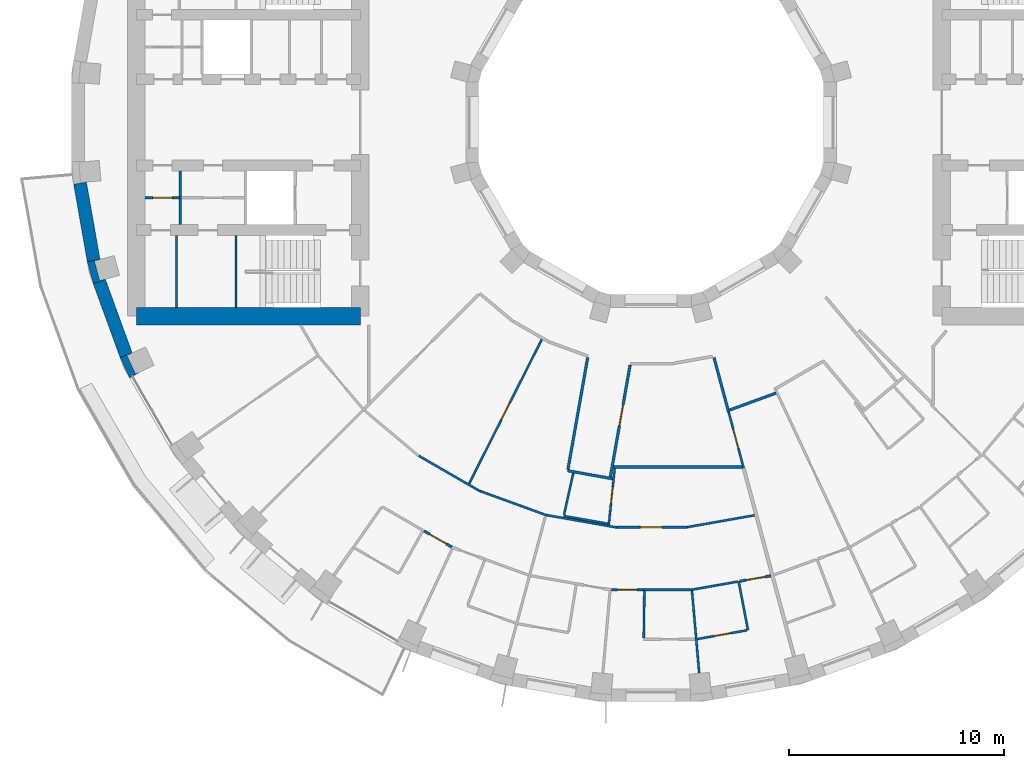
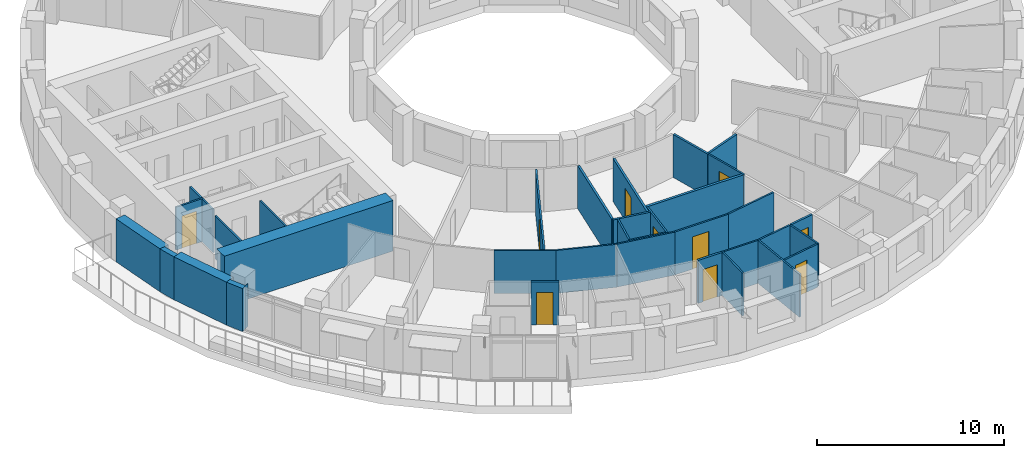
# One storey, part 5 of 16: 34 walls, 10 doors, 10 openings.
"""IFC4 building model written with IfcOpenShell, lengths in metres."""

from ifc_helpers import new_model, si_unit, direction, frame, frame_2d, origin, place, context, subcontext, project, spatial, polyline, rectangle, outline, extrude, material, layer, layer_set, type_object, element, fill, save


model = new_model("IFC4")

# Units and contexts
model_context = context("Model", 3, precision=1e-05, world=origin(), true_north=direction((0.0, 1.0)))
body_context = subcontext(model_context, "Body", "Model", "MODEL_VIEW")
ifc_project = project(units=[si_unit("LENGTHUNIT", "METRE"), si_unit("AREAUNIT", "SQUARE_METRE"), si_unit("VOLUMEUNIT", "CUBIC_METRE"), si_unit("PLANEANGLEUNIT", "RADIAN"), si_unit("MASSUNIT", "GRAM", prefix="KILO")], contexts=[model_context])

# Site, building, storey
site_placement = place(None, origin())
site = spatial("IfcSite", under=ifc_project, at=site_placement, CompositionType="ELEMENT")
building_placement = place(site_placement, origin())
building = spatial("IfcBuilding", under=site, at=building_placement, Name="Saqina Gate Tower", CompositionType="ELEMENT")
storey_placement = place(building_placement, frame((0.0, 0.0, 128.199951171875)))
storey = spatial("IfcBuildingStorey", under=building, at=storey_placement, Name="L36", CompositionType="ELEMENT", Elevation=128.199951171875)

# Walls
ifc_material_1 = material(Name="Brick masonry (buff)", Category="masonry")
wall_type_1 = type_object("IfcWallType", Name="BRICK PIER COPING BUFF", PredefinedType="SOLIDWALL", material=ifc_material_1)
wall_1_placement = place(storey_placement, origin())
element("IfcWall", 1, at=wall_1_placement, inside=storey, type_object=wall_type_1, Name="Pier cap L36 column 20", PredefinedType="SOLIDWALL", context=body_context, shape_type="SweptSolid", body=[
    extrude(outline(polyline([(-26.171875, -6.466796875), (-25.89892578125, -7.485595703125), (-25.335205078125, -7.2802734375), (-25.5947265625, -7.349853515625), (-25.8408203125, -6.43212890625), (-25.5810546875, -6.36279296875), (-26.171875, -6.466796875)])), origin(), (0.0, 0.0, 1.0), 2.800048828125),
])
wall_2_placement = place(storey_placement, origin())
element("IfcWall", 2, at=wall_2_placement, inside=storey, type_object=wall_type_1, Name="Pier cap L36 column 21", PredefinedType="SOLIDWALL", context=body_context, shape_type="SweptSolid", body=[
    extrude(outline(polyline([(-24.6513671875, -10.913330078125), (-24.205810546875, -11.869140625), (-23.68603515625, -11.569091796875), (-23.9296875, -11.6826171875), (-24.331298828125, -10.82177734375), (-24.08740234375, -10.7080078125), (-24.6513671875, -10.913330078125)])), origin(), (0.0, 0.0, 1.0), 2.800048828125),
])
ifc_material_2 = material(Name="Gypsum board on steel studs", Category="steel")
ifc_layer_1 = layer(ifc_material_2, 0.10009765625)
ifc_layer_set_1 = layer_set([ifc_layer_1], Name="CORE PARTITION")
wall_type_2 = type_object("IfcWallType", Name="CORE PARTITION", PredefinedType="PARTITIONING", material=ifc_layer_set_1)
wall_3_placement = place(storey_placement, frame((-21.8583984375, -4.75, 0.0), z_axis=(0.0, 0.0, 1.0), x_axis=(0.0, 1.0, 0.0)))
element("IfcWall", 3, at=wall_3_placement, inside=storey, type_object=wall_type_2, Name="L36-CP-W08", PredefinedType="PARTITIONING", context=body_context, shape_type="SweptSolid", body=[
    extrude(rectangle(XDim=2.5, YDim=0.10009765625, at=frame_2d((1.25, 0.0))), origin(), (0.0, 0.0, 1.0), 2.800048828125),
])

# Wall, opening, door
wall_4_placement = place(storey_placement, frame((-21.8583984375, -3.5, 0.0), z_axis=(0.0, 0.0, 1.0), x_axis=(-1.0, 0.0, 0.0)))
wall_4 = element("IfcWall", 4, at=wall_4_placement, inside=storey, type_object=wall_type_2, Name="L36-CP-W12", PredefinedType="PARTITIONING", context=body_context, shape_type="SweptSolid", body=[
    extrude(rectangle(XDim=1.6416015625, YDim=0.10009765625, at=frame_2d((0.82080078125, 0.0))), origin(), (0.0, 0.0, 1.0), 2.800048828125),
])
opening_1_placement = place(wall_4_placement, frame((0.370849609375, 0.0, 0.0)))
opening_1 = element("IfcOpeningElement", 5, at=opening_1_placement, cuts=wall_4, Name="Opening G10-D122", PredefinedType="OPENING", context=body_context, shape_type="SweptSolid", body=[
    extrude(rectangle(XDim=0.89990234375, YDim=2.10009765625, at=frame_2d((0.449951171875, 1.050048828125))), frame((0.0, 0.06201171875, 0.0), z_axis=(0.0, -1.0, 0.0), x_axis=(1.0, 0.0, 0.0)), (0.0, 0.0, 1.0), 0.1240234375),
])
ifc_material_3 = material(Name="Steel-framed fire door leaf, EI 60", Category="steel")
door_type_1 = type_object("IfcDoorType", Name="SERVICE ROOM DOOR 900", OperationType="SINGLE_SWING_LEFT", PredefinedType="DOOR", material=ifc_material_3)
door_1_placement = place(opening_1_placement, origin())
door_1 = element("IfcDoor", 6, at=door_1_placement, inside=storey, type_object=door_type_1, Name="L36-CD-W33", OperationType="SINGLE_SWING_RIGHT", OverallHeight=2.10009765625, OverallWidth=0.89990234375, PredefinedType="DOOR", context=body_context, shape_type="SweptSolid", body=[
    extrude(rectangle(XDim=0.89990234375, YDim=2.10009765625, at=frame_2d((0.449951171875, 1.050048828125))), frame((0.0, 0.02490234375, 0.0), z_axis=(0.0, -1.0, 0.0), x_axis=(1.0, 0.0, 0.0)), (0.0, 0.0, 1.0), 0.050048828125),
])
fill(opening_1, door_1)

# Walls
wall_5_placement = place(storey_placement, frame((-22.037109375, -8.60009765625, 0.0), z_axis=(0.0, 0.0, 1.0), x_axis=(0.0, 1.0, 0.0)))
element("IfcWall", 7, at=wall_5_placement, inside=storey, type_object=wall_type_2, Name="L36-CP-W16", PredefinedType="PARTITIONING", context=body_context, shape_type="SweptSolid", body=[
    extrude(rectangle(XDim=3.35009765625, YDim=0.10009765625, at=frame_2d((1.675048828125, 0.0))), origin(), (0.0, 0.0, 1.0), 2.800048828125),
])
ifc_material_4 = material(Name="Glazed ceramic tile", Category="ceramic")
ifc_layer_2 = layer(ifc_material_4, 0.60009765625)
ifc_layer_set_2 = layer_set([ifc_layer_2], Name="FW-TILE")
wall_type_3 = type_object("IfcWallType", Name="FW-TILE", PredefinedType="SOLIDWALL", material=ifc_layer_set_2)
wall_6_placement = place(storey_placement, frame((-26.510009765625, -2.822265625, 0.0), z_axis=(0.0, 0.0, 1.0), x_axis=(0.173670796382, -0.984803764455, 0.0)))
element("IfcWall", 8, at=wall_6_placement, inside=storey, type_object=wall_type_3, Name="Facade wall L36 facet 19", PredefinedType="SOLIDWALL", context=body_context, shape_type="SweptSolid", body=[
    extrude(rectangle(XDim=3.64794921875, YDim=0.60009765625, at=frame_2d((1.823974609375, 0.0))), origin(), (0.0, 0.0, 1.0), 2.800048828125),
])
ifc_material_5 = material(Name="Glazed ceramic tile (white)", Category="ceramic")
ifc_layer_3 = layer(ifc_material_5, 0.60009765625)
ifc_layer_set_3 = layer_set([ifc_layer_3], Name="FW-TILE-WH")
wall_type_4 = type_object("IfcWallType", Name="FW-TILE-WH", PredefinedType="SOLIDWALL", material=ifc_layer_set_3)
wall_7_placement = place(storey_placement, frame((-25.616943359375, -7.3828125, 0.0), z_axis=(0.0, 0.0, 1.0), x_axis=(0.341990236633, -0.939703505393, 0.0)))
element("IfcWall", 9, at=wall_7_placement, inside=storey, type_object=wall_type_4, Name="Facade wall L36 facet 20", PredefinedType="SOLIDWALL", context=body_context, shape_type="SweptSolid", body=[
    extrude(rectangle(XDim=3.64794921875, YDim=0.60009765625, at=frame_2d((1.823974609375, 0.0))), origin(), (0.0, 0.0, 1.0), 2.800048828125),
])
ifc_material_6 = material(Name="Gypsum board on steel studs, 100 mm", Category="steel")
ifc_layer_4 = layer(ifc_material_6, 0.10009765625)
ifc_layer_set_4 = layer_set([ifc_layer_4], Name="PARTITION 100")
wall_type_5 = type_object("IfcWallType", Name="PARTITION 100", PredefinedType="PARTITIONING", material=ifc_layer_set_4)
wall_8_placement = place(storey_placement, frame((1.9013671875, -21.746826171875, 0.0), z_axis=(0.0, 0.0, 1.0), x_axis=(0.087464650473, -0.996167623906, 0.0)))
element("IfcWall", 10, at=wall_8_placement, inside=storey, type_object=wall_type_5, Name="PARTITION PW3-02", PredefinedType="PARTITIONING", context=body_context, shape_type="SweptSolid", body=[
    extrude(rectangle(XDim=3.835205078125, YDim=0.10009765625, at=frame_2d((1.91748046875, 0.0))), origin(), (0.0, 0.0, 1.0), 2.800048828125),
])
wall_9_placement = place(storey_placement, frame((4.070068359375, -21.31396484375, 0.0), z_axis=(0.0, 0.0, 1.0), x_axis=(0.187292523019, -0.982304184467, 0.0)))
element("IfcWall", 11, at=wall_9_placement, inside=storey, type_object=wall_type_5, Name="PARTITION PW3-05", PredefinedType="PARTITIONING", context=body_context, shape_type="SweptSolid", body=[
    extrude(rectangle(XDim=2.30078125, YDim=0.10009765625, at=frame_2d((1.150390625, 0.0))), origin(), (0.0, 0.0, 1.0), 2.800048828125),
])

# Wall, opening, door
wall_10_placement = place(storey_placement, frame((3.601318359375, -13.4404296875, 0.0), z_axis=(0.0, 0.0, 1.0), x_axis=(0.258787272881, -0.96593433907, 0.0)))
wall_10 = element("IfcWall", 12, at=wall_10_placement, inside=storey, type_object=wall_type_5, Name="PARTITION PW3-08", PredefinedType="PARTITIONING", context=body_context, shape_type="SweptSolid", body=[
    extrude(rectangle(XDim=2.701904296875, YDim=0.10009765625, at=frame_2d((1.35107421875, 0.0))), origin(), (0.0, 0.0, 1.0), 2.800048828125),
])
opening_2_placement = place(wall_10_placement, frame((0.84375, 0.0, 0.0)))
opening_2 = element("IfcOpeningElement", 13, at=opening_2_placement, cuts=wall_10, Name="Opening G10-D47", PredefinedType="OPENING", context=body_context, shape_type="SweptSolid", body=[
    extrude(rectangle(XDim=0.89990234375, YDim=2.10009765625, at=frame_2d((0.449951171875, 1.050048828125))), frame((0.0, 0.06201171875, 0.0), z_axis=(0.0, -1.0, 0.0), x_axis=(1.0, 0.0, 0.0)), (0.0, 0.0, 1.0), 0.1240234375),
])
ifc_material_7 = material(Name="Timber door leaf, 900 mm", Category="wood")
door_type_2 = type_object("IfcDoorType", Name="DOOR 900 TIMBER", OperationType="SINGLE_SWING_LEFT", PredefinedType="DOOR", material=ifc_material_7)
door_2_placement = place(opening_2_placement, origin())
door_2 = element("IfcDoor", 14, at=door_2_placement, inside=storey, type_object=door_type_2, Name="DOOR G10-D47", OperationType="SINGLE_SWING_LEFT", OverallHeight=2.10009765625, OverallWidth=0.89990234375, PredefinedType="DOOR", context=body_context, shape_type="SweptSolid", body=[
    extrude(rectangle(XDim=0.89990234375, YDim=2.10009765625, at=frame_2d((0.449951171875, 1.050048828125))), frame((0.0, 0.02490234375, 0.0), z_axis=(0.0, -1.0, 0.0), x_axis=(1.0, 0.0, 0.0)), (0.0, 0.0, 1.0), 0.050048828125),
])
fill(opening_2, door_2)

# Walls
wall_11_placement = place(storey_placement, frame((-10.78076171875, -15.48291015625, 0.0), z_axis=(0.0, 0.0, 1.0), x_axis=(0.865987888257, -0.500064973171, 0.0)))
element("IfcWall", 15, at=wall_11_placement, inside=storey, type_object=wall_type_5, Name="PARTITION PW3-34", PredefinedType="PARTITIONING", context=body_context, shape_type="SweptSolid", body=[
    extrude(rectangle(XDim=3.29052734375, YDim=0.10009765625, at=frame_2d((1.645263671875, 0.0))), origin(), (0.0, 0.0, 1.0), 2.800048828125),
])
wall_12_placement = place(storey_placement, frame((-7.927978515625, -17.1201171875, 0.0), z_axis=(0.0, 0.0, 1.0), x_axis=(0.93970022925, -0.34199923852, 0.0)))
element("IfcWall", 16, at=wall_12_placement, inside=storey, type_object=wall_type_5, Name="PARTITION PW3-42", PredefinedType="PARTITIONING", context=body_context, shape_type="SweptSolid", body=[
    extrude(rectangle(XDim=3.290283203125, YDim=0.10009765625, at=frame_2d((1.64501953125, 0.0))), origin(), (0.0, 0.0, 1.0), 2.800048828125),
])
wall_13_placement = place(storey_placement, frame((-4.834716796875, -18.236572265625, 0.0), z_axis=(0.0, 0.0, 1.0), x_axis=(0.984805963937, -0.173658323709, 0.0)))
element("IfcWall", 17, at=wall_13_placement, inside=storey, type_object=wall_type_5, Name="PARTITION PW3-47", PredefinedType="PARTITIONING", context=body_context, shape_type="SweptSolid", body=[
    extrude(rectangle(XDim=3.289794921875, YDim=0.10009765625, at=frame_2d((1.64501953125, 0.0))), origin(), (0.0, 0.0, 1.0), 2.800048828125),
])
wall_14_placement = place(storey_placement, frame((-4.051025390625, -18.27392578125, 0.0), z_axis=(0.0, 0.0, 1.0), x_axis=(0.984814351303, -0.17361075274, 0.0)))
element("IfcWall", 18, at=wall_14_placement, inside=storey, type_object=wall_type_5, Name="PARTITION PW3-48", PredefinedType="PARTITIONING", context=body_context, shape_type="SweptSolid", body=[
    extrude(rectangle(XDim=2.07421875, YDim=0.10009765625, at=frame_2d((1.037109375, 0.0))), origin(), (0.0, 0.0, 1.0), 2.800048828125),
])
wall_15_placement = place(storey_placement, frame((-0.35693359375, -21.697021484375, 0.0), z_axis=(0.0, 0.0, 1.0), x_axis=(1.0, 0.0, 0.0)))
element("IfcWall", 19, at=wall_15_placement, inside=storey, type_object=wall_type_5, Name="PARTITION PW3-52", PredefinedType="PARTITIONING", context=body_context, shape_type="SweptSolid", body=[
    extrude(rectangle(XDim=2.3056640625, YDim=0.10009765625, at=frame_2d((1.15283203125, 0.0))), origin(), (0.0, 0.0, 1.0), 2.800048828125),
])

# Wall, opening, door
wall_16_placement = place(storey_placement, frame((-1.594970703125, -18.799072265625, 0.0), z_axis=(0.0, 0.0, 1.0), x_axis=(1.0, 0.0, 0.0)))
wall_16 = element("IfcWall", 20, at=wall_16_placement, inside=storey, type_object=wall_type_5, Name="PARTITION PW3-53", PredefinedType="PARTITIONING", context=body_context, shape_type="SweptSolid", body=[
    extrude(rectangle(XDim=3.290771484375, YDim=0.10009765625, at=frame_2d((1.6455078125, 0.0))), origin(), (0.0, 0.0, 1.0), 2.800048828125),
])
opening_3_placement = place(wall_16_placement, frame((1.094970703125, 0.0, 0.0)))
opening_3 = element("IfcOpeningElement", 21, at=opening_3_placement, cuts=wall_16, Name="Opening G10-D43", PredefinedType="OPENING", context=body_context, shape_type="SweptSolid", body=[
    extrude(rectangle(XDim=1.0, YDim=2.10009765625, at=frame_2d((0.5, 1.050048828125))), frame((0.0, 0.06201171875, 0.0), z_axis=(0.0, -1.0, 0.0), x_axis=(1.0, 0.0, 0.0)), (0.0, 0.0, 1.0), 0.1240234375),
])
ifc_material_8 = material(Name="Timber door leaf, 1000 mm", Category="wood")
door_type_3 = type_object("IfcDoorType", Name="DOOR 1000 TIMBER", OperationType="SINGLE_SWING_LEFT", PredefinedType="DOOR", material=ifc_material_8)
door_3_placement = place(opening_3_placement, origin())
door_3 = element("IfcDoor", 22, at=door_3_placement, inside=storey, type_object=door_type_3, Name="DOOR G10-D43", OperationType="SINGLE_SWING_LEFT", OverallHeight=2.10009765625, OverallWidth=1.0, PredefinedType="DOOR", context=body_context, shape_type="SweptSolid", body=[
    extrude(rectangle(XDim=1.0, YDim=2.10009765625, at=frame_2d((0.5, 1.050048828125))), frame((0.0, 0.02490234375, 0.0), z_axis=(0.0, -1.0, 0.0), x_axis=(1.0, 0.0, 0.0)), (0.0, 0.0, 1.0), 0.050048828125),
])
fill(opening_3, door_3)

wall_17_placement = place(storey_placement, frame((2.148193359375, -23.98828125, 0.0), z_axis=(0.0, 0.0, 1.0), x_axis=(0.984854932485, 0.173380396699, 0.0)))
wall_17 = element("IfcWall", 23, at=wall_17_placement, inside=storey, type_object=wall_type_5, Name="PARTITION PW3-57", PredefinedType="PARTITIONING", context=body_context, shape_type="SweptSolid", body=[
    extrude(rectangle(XDim=2.3388671875, YDim=0.10009765625, at=frame_2d((1.16943359375, 0.0))), origin(), (0.0, 0.0, 1.0), 2.800048828125),
])
opening_4_placement = place(wall_17_placement, frame((0.76953125, 0.0, 0.0)))
opening_4 = element("IfcOpeningElement", 24, at=opening_4_placement, cuts=wall_17, Name="Opening G10-D45", PredefinedType="OPENING", context=body_context, shape_type="SweptSolid", body=[
    extrude(rectangle(XDim=0.800048828125, YDim=2.10009765625, at=frame_2d((0.39990234375, 1.050048828125))), frame((0.0, 0.06201171875, 0.0), z_axis=(0.0, -1.0, 0.0), x_axis=(1.0, 0.0, 0.0)), (0.0, 0.0, 1.0), 0.1240234375),
])
ifc_material_9 = material(Name="Timber door leaf, 800 mm", Category="wood")
door_type_4 = type_object("IfcDoorType", Name="DOOR 800 TIMBER", OperationType="SINGLE_SWING_LEFT", PredefinedType="DOOR", material=ifc_material_9)
door_4_placement = place(opening_4_placement, frame((0.800048828125, 0.0, 0.0), z_axis=(0.0, 0.0, 1.0), x_axis=(-1.0, 0.0, 0.0)))
door_4 = element("IfcDoor", 25, at=door_4_placement, inside=storey, type_object=door_type_4, Name="DOOR G10-D45", OperationType="SINGLE_SWING_LEFT", OverallHeight=2.10009765625, OverallWidth=0.800048828125, PredefinedType="DOOR", context=body_context, shape_type="SweptSolid", body=[
    extrude(rectangle(XDim=0.800048828125, YDim=2.10009765625, at=frame_2d((0.39990234375, 1.050048828125))), frame((0.0, 0.02490234375, 0.0), z_axis=(0.0, -1.0, 0.0), x_axis=(1.0, 0.0, 0.0)), (0.0, 0.0, 1.0), 0.050048828125),
])
fill(opening_4, door_4)

# Walls
wall_18_placement = place(storey_placement, frame((1.947265625, -21.688232421875, 0.0), z_axis=(0.0, 0.0, 1.0), x_axis=(0.984818559242, 0.173586881336, 0.0)))
element("IfcWall", 26, at=wall_18_placement, inside=storey, type_object=wall_type_5, Name="PARTITION PW3-58", PredefinedType="PARTITIONING", context=body_context, shape_type="SweptSolid", body=[
    extrude(rectangle(XDim=2.10546875, YDim=0.10009765625, at=frame_2d((1.052734375, 0.0))), origin(), (0.0, 0.0, 1.0), 2.800048828125),
])
wall_19_placement = place(storey_placement, frame((1.6943359375, -18.790283203125, 0.0), z_axis=(0.0, 0.0, 1.0), x_axis=(0.984811512808, 0.173626853457, 0.0)))
element("IfcWall", 27, at=wall_19_placement, inside=storey, type_object=wall_type_5, Name="PARTITION PW3-59", PredefinedType="PARTITIONING", context=body_context, shape_type="SweptSolid", body=[
    extrude(rectangle(XDim=3.163818359375, YDim=0.10009765625, at=frame_2d((1.58203125, 0.0))), origin(), (0.0, 0.0, 1.0), 2.800048828125),
])

# Wall, opening, door
wall_20_placement = place(storey_placement, frame((-8.444580078125, -16.774169921875, 0.0), z_axis=(0.0, 0.0, 1.0), x_axis=(0.449712057194, 0.893173592094, 0.0)))
wall_20 = element("IfcWall", 28, at=wall_20_placement, inside=storey, type_object=wall_type_5, Name="PARTITION PW3-96", PredefinedType="PARTITIONING", context=body_context, shape_type="SweptSolid", body=[
    extrude(rectangle(XDim=7.499267578125, YDim=0.10009765625, at=frame_2d((3.74951171875, 0.0))), origin(), (0.0, 0.0, 1.0), 2.800048828125),
])
opening_5_placement = place(wall_20_placement, frame((3.30712890625, 0.0, 0.0)))
opening_5 = element("IfcOpeningElement", 29, at=opening_5_placement, cuts=wall_20, Name="Opening G10-D35", PredefinedType="OPENING", context=body_context, shape_type="SweptSolid", body=[
    extrude(rectangle(XDim=0.89990234375, YDim=2.10009765625, at=frame_2d((0.449951171875, 1.050048828125))), frame((0.0, 0.06201171875, 0.0), z_axis=(0.0, -1.0, 0.0), x_axis=(1.0, 0.0, 0.0)), (0.0, 0.0, 1.0), 0.1240234375),
])
door_5_placement = place(opening_5_placement, frame((0.89990234375, 0.0, 0.0), z_axis=(0.0, 0.0, 1.0), x_axis=(-1.0, 0.0, 0.0)))
door_5 = element("IfcDoor", 30, at=door_5_placement, inside=storey, type_object=door_type_2, Name="DOOR G10-D35", OperationType="SINGLE_SWING_LEFT", OverallHeight=2.10009765625, OverallWidth=0.89990234375, PredefinedType="DOOR", context=body_context, shape_type="SweptSolid", body=[
    extrude(rectangle(XDim=0.89990234375, YDim=2.10009765625, at=frame_2d((0.449951171875, 1.050048828125))), frame((0.0, 0.02490234375, 0.0), z_axis=(0.0, -1.0, 0.0), x_axis=(1.0, 0.0, 0.0)), (0.0, 0.0, 1.0), 0.050048828125),
])
fill(opening_5, door_5)

# Wall
wall_21_placement = place(storey_placement, frame((-4.0400390625, -18.22412109375, 0.0), z_axis=(0.0, 0.0, 1.0), x_axis=(0.216475396049, 0.976288073729, 0.0)))
element("IfcWall", 31, at=wall_21_placement, inside=storey, type_object=wall_type_5, Name="PARTITION PW3-103", PredefinedType="PARTITIONING", context=body_context, shape_type="SweptSolid", body=[
    extrude(rectangle(XDim=1.98828125, YDim=0.10009765625, at=frame_2d((0.994140625, 0.0))), origin(), (0.0, 0.0, 1.0), 2.800048828125),
])

# Wall, opening, door
wall_22_placement = place(storey_placement, frame((-1.963134765625, -18.692138671875, 0.0), z_axis=(0.0, 0.0, 1.0), x_axis=(0.10462196357, 0.994512063647, 0.0)))
wall_22 = element("IfcWall", 32, at=wall_22_placement, inside=storey, type_object=wall_type_5, Name="PARTITION PW3-106", PredefinedType="PARTITIONING", context=body_context, shape_type="SweptSolid", body=[
    extrude(rectangle(XDim=2.6298828125, YDim=0.10009765625, at=frame_2d((1.31494140625, 0.0))), origin(), (0.0, 0.0, 1.0), 2.800048828125),
])
opening_6_placement = place(wall_22_placement, frame((0.978759765625, 0.0, 0.0)))
opening_6 = element("IfcOpeningElement", 33, at=opening_6_placement, cuts=wall_22, Name="Opening G10-D40", PredefinedType="OPENING", context=body_context, shape_type="SweptSolid", body=[
    extrude(rectangle(XDim=0.800048828125, YDim=2.10009765625, at=frame_2d((0.39990234375, 1.050048828125))), frame((0.0, 0.06201171875, 0.0), z_axis=(0.0, -1.0, 0.0), x_axis=(1.0, 0.0, 0.0)), (0.0, 0.0, 1.0), 0.1240234375),
])
door_6_placement = place(opening_6_placement, frame((0.800048828125, 0.0, 0.0), z_axis=(0.0, 0.0, 1.0), x_axis=(-1.0, 0.0, 0.0)))
door_6 = element("IfcDoor", 34, at=door_6_placement, inside=storey, type_object=door_type_4, Name="DOOR G10-D40", OperationType="SINGLE_SWING_LEFT", OverallHeight=2.10009765625, OverallWidth=0.800048828125, PredefinedType="DOOR", context=body_context, shape_type="SweptSolid", body=[
    extrude(rectangle(XDim=0.800048828125, YDim=2.10009765625, at=frame_2d((0.39990234375, 1.050048828125))), frame((0.0, 0.02490234375, 0.0), z_axis=(0.0, -1.0, 0.0), x_axis=(1.0, 0.0, 0.0)), (0.0, 0.0, 1.0), 0.050048828125),
])
fill(opening_6, door_6)

# Walls
wall_23_placement = place(storey_placement, frame((-0.33837890625, -23.947021484375, 0.0), z_axis=(0.0, 0.0, 1.0), x_axis=(0.013949535442, 0.999902700497, 0.0)))
element("IfcWall", 35, at=wall_23_placement, inside=storey, type_object=wall_type_5, Name="PARTITION PW3-108", PredefinedType="PARTITIONING", context=body_context, shape_type="SweptSolid", body=[
    extrude(rectangle(XDim=2.187744140625, YDim=0.10009765625, at=frame_2d((1.09375, 0.0))), origin(), (0.0, 0.0, 1.0), 2.800048828125),
])
ifc_material_10 = material(Name="Gypsum board on steel studs, 125 mm, fire rated", Category="steel")
ifc_layer_5 = layer(ifc_material_10, 0.125)
ifc_layer_set_5 = layer_set([ifc_layer_5], Name="PARTITION EI 30 125")
wall_type_6 = type_object("IfcWallType", Name="PARTITION EI 30 125", PredefinedType="PARTITIONING", material=ifc_layer_set_5)
wall_24_placement = place(storey_placement, frame((2.923095703125, -10.9189453125, 0.0), z_axis=(0.0, 0.0, 1.0), x_axis=(0.259285993545, -0.965800586846, 0.0)))
element("IfcWall", 36, at=wall_24_placement, inside=storey, type_object=wall_type_6, Name="PARTITION PW1-03", PredefinedType="PARTITIONING", context=body_context, shape_type="SweptSolid", body=[
    extrude(rectangle(XDim=2.611083984375, YDim=0.125, at=frame_2d((1.3056640625, 0.0))), origin(), (0.0, 0.0, 1.0), 2.800048828125),
])

# Wall, opening, door
wall_25_placement = place(storey_placement, frame((-10.539794921875, -18.968994140625, 0.0), z_axis=(0.0, 0.0, 1.0), x_axis=(0.865896584481, -0.500223055231, 0.0)))
wall_25 = element("IfcWall", 37, at=wall_25_placement, inside=storey, type_object=wall_type_6, Name="PARTITION PW1-15", PredefinedType="PARTITIONING", context=body_context, shape_type="SweptSolid", body=[
    extrude(rectangle(XDim=1.491455078125, YDim=0.125, at=frame_2d((0.74560546875, 0.0))), origin(), (0.0, 0.0, 1.0), 2.800048828125),
])
opening_7_placement = place(wall_25_placement, frame((0.295654296875, 0.0, 0.0)))
opening_7 = element("IfcOpeningElement", 38, at=opening_7_placement, cuts=wall_25, Name="Opening G10-D34", PredefinedType="OPENING", context=body_context, shape_type="SweptSolid", body=[
    extrude(rectangle(XDim=0.89990234375, YDim=2.10009765625, at=frame_2d((0.449951171875, 1.050048828125))), frame((0.0, 0.074462890625, 0.0), z_axis=(0.0, -1.0, 0.0), x_axis=(1.0, 0.0, 0.0)), (0.0, 0.0, 1.0), 0.14892578125),
])
ifc_material_11 = material(Name="Fire door leaf EI 30, 900 mm")
door_type_5 = type_object("IfcDoorType", Name="DOOR 900 EI 30", OperationType="SINGLE_SWING_LEFT", PredefinedType="DOOR", material=ifc_material_11)
door_7_placement = place(opening_7_placement, origin())
door_7 = element("IfcDoor", 39, at=door_7_placement, inside=storey, type_object=door_type_5, Name="DOOR G10-D34", OperationType="SINGLE_SWING_RIGHT", OverallHeight=2.10009765625, OverallWidth=0.89990234375, PredefinedType="DOOR", context=body_context, shape_type="SweptSolid", body=[
    extrude(rectangle(XDim=0.89990234375, YDim=2.10009765625, at=frame_2d((0.449951171875, 1.050048828125))), frame((0.0, 0.02490234375, 0.0), z_axis=(0.0, -1.0, 0.0), x_axis=(1.0, 0.0, 0.0)), (0.0, 0.0, 1.0), 0.050048828125),
])
fill(opening_7, door_7)

# Wall
wall_26_placement = place(storey_placement, frame((-3.866943359375, -16.173583984375, 0.0), z_axis=(0.0, 0.0, 1.0), x_axis=(0.984325266117, -0.176362610789, 0.0)))
element("IfcWall", 40, at=wall_26_placement, inside=storey, type_object=wall_type_6, Name="PARTITION PW1-23", PredefinedType="PARTITIONING", context=body_context, shape_type="SweptSolid", body=[
    extrude(rectangle(XDim=2.112548828125, YDim=0.125, at=frame_2d((1.05615234375, 0.0))), origin(), (0.0, 0.0, 1.0), 2.800048828125),
])

# Wall, opening, door
wall_27_placement = place(storey_placement, frame((-1.83544921875, -21.697021484375, 0.0), z_axis=(0.0, 0.0, 1.0), x_axis=(1.0, 0.0, 0.0)))
wall_27 = element("IfcWall", 41, at=wall_27_placement, inside=storey, type_object=wall_type_6, Name="PARTITION PW1-27", PredefinedType="PARTITIONING", context=body_context, shape_type="SweptSolid", body=[
    extrude(rectangle(XDim=1.478515625, YDim=0.125, at=frame_2d((0.7392578125, 0.0))), origin(), (0.0, 0.0, 1.0), 2.800048828125),
])
opening_8_placement = place(wall_27_placement, frame((0.282958984375, 0.0, 0.0)))
opening_8 = element("IfcOpeningElement", 42, at=opening_8_placement, cuts=wall_27, Name="Opening G10-D42", PredefinedType="OPENING", context=body_context, shape_type="SweptSolid", body=[
    extrude(rectangle(XDim=0.89990234375, YDim=2.10009765625, at=frame_2d((0.449951171875, 1.050048828125))), frame((0.0, 0.074462890625, 0.0), z_axis=(0.0, -1.0, 0.0), x_axis=(1.0, 0.0, 0.0)), (0.0, 0.0, 1.0), 0.14892578125),
])
door_8_placement = place(opening_8_placement, origin())
door_8 = element("IfcDoor", 43, at=door_8_placement, inside=storey, type_object=door_type_5, Name="DOOR G10-D42", OperationType="SINGLE_SWING_LEFT", OverallHeight=2.10009765625, OverallWidth=0.89990234375, PredefinedType="DOOR", context=body_context, shape_type="SweptSolid", body=[
    extrude(rectangle(XDim=0.89990234375, YDim=2.10009765625, at=frame_2d((0.449951171875, 1.050048828125))), frame((0.0, 0.02490234375, 0.0), z_axis=(0.0, -1.0, 0.0), x_axis=(1.0, 0.0, 0.0)), (0.0, 0.0, 1.0), 0.050048828125),
])
fill(opening_8, door_8)

wall_28_placement = place(storey_placement, frame((4.119140625, -21.305419921875, 0.0), z_axis=(0.0, 0.0, 1.0), x_axis=(0.984835475574, 0.17349088175, 0.0)))
wall_28 = element("IfcWall", 44, at=wall_28_placement, inside=storey, type_object=wall_type_6, Name="PARTITION PW1-31", PredefinedType="PARTITIONING", context=body_context, shape_type="SweptSolid", body=[
    extrude(rectangle(XDim=1.46630859375, YDim=0.125, at=frame_2d((0.733154296875, 0.0))), origin(), (0.0, 0.0, 1.0), 2.800048828125),
])
opening_9_placement = place(wall_28_placement, frame((0.295166015625, 0.0, 0.0)))
opening_9 = element("IfcOpeningElement", 45, at=opening_9_placement, cuts=wall_28, Name="Opening G10-D46", PredefinedType="OPENING", context=body_context, shape_type="SweptSolid", body=[
    extrude(rectangle(XDim=0.89990234375, YDim=2.10009765625, at=frame_2d((0.449951171875, 1.050048828125))), frame((0.0, 0.074462890625, 0.0), z_axis=(0.0, -1.0, 0.0), x_axis=(1.0, 0.0, 0.0)), (0.0, 0.0, 1.0), 0.14892578125),
])
door_9_placement = place(opening_9_placement, origin())
door_9 = element("IfcDoor", 46, at=door_9_placement, inside=storey, type_object=door_type_5, Name="DOOR G10-D46", OperationType="SINGLE_SWING_RIGHT", OverallHeight=2.10009765625, OverallWidth=0.89990234375, PredefinedType="DOOR", context=body_context, shape_type="SweptSolid", body=[
    extrude(rectangle(XDim=0.89990234375, YDim=2.10009765625, at=frame_2d((0.449951171875, 1.050048828125))), frame((0.0, 0.02490234375, 0.0), z_axis=(0.0, -1.0, 0.0), x_axis=(1.0, 0.0, 0.0)), (0.0, 0.0, 1.0), 0.050048828125),
])
fill(opening_9, door_9)

# Wall
wall_29_placement = place(storey_placement, frame((3.643798828125, -13.356689453125, 0.0), z_axis=(0.0, 0.0, 1.0), x_axis=(0.939554653217, 0.342398968484, 0.0)))
element("IfcWall", 47, at=wall_29_placement, inside=storey, type_object=wall_type_6, Name="PARTITION PW1-36", PredefinedType="PARTITIONING", context=body_context, shape_type="SweptSolid", body=[
    extrude(rectangle(XDim=2.301025390625, YDim=0.125, at=frame_2d((1.150390625, 0.0))), origin(), (0.0, 0.0, 1.0), 2.800048828125),
])

# Wall, opening, door
wall_30_placement = place(storey_placement, frame((-1.88720703125, -16.45947265625, 0.0), z_axis=(0.0, 0.0, 1.0), x_axis=(0.173774779386, 0.984785421322, 0.0)))
wall_30 = element("IfcWall", 48, at=wall_30_placement, inside=storey, type_object=wall_type_6, Name="PARTITION PW1-56", PredefinedType="PARTITIONING", context=body_context, shape_type="SweptSolid", body=[
    extrude(rectangle(XDim=5.2783203125, YDim=0.125, at=frame_2d((2.63916015625, 0.0))), origin(), (0.0, 0.0, 1.0), 2.800048828125),
])
opening_10_placement = place(wall_30_placement, frame((2.40380859375, 0.0, 0.0)))
opening_10 = element("IfcOpeningElement", 49, at=opening_10_placement, cuts=wall_30, Name="Opening G10-D41", PredefinedType="OPENING", context=body_context, shape_type="SweptSolid", body=[
    extrude(rectangle(XDim=1.0, YDim=2.10009765625, at=frame_2d((0.5, 1.050048828125))), frame((0.0, 0.074462890625, 0.0), z_axis=(0.0, -1.0, 0.0), x_axis=(1.0, 0.0, 0.0)), (0.0, 0.0, 1.0), 0.14892578125),
])
ifc_material_12 = material(Name="Fire door leaf EI 30, 1000 mm")
door_type_6 = type_object("IfcDoorType", Name="DOOR 1000 EI 30", OperationType="SINGLE_SWING_LEFT", PredefinedType="DOOR", material=ifc_material_12)
door_10_placement = place(opening_10_placement, frame((1.0, 0.0, 0.0), z_axis=(0.0, 0.0, 1.0), x_axis=(-1.0, 0.0, 0.0)))
door_10 = element("IfcDoor", 50, at=door_10_placement, inside=storey, type_object=door_type_6, Name="DOOR G10-D41", OperationType="SINGLE_SWING_LEFT", OverallHeight=2.10009765625, OverallWidth=1.0, PredefinedType="DOOR", context=body_context, shape_type="SweptSolid", body=[
    extrude(rectangle(XDim=1.0, YDim=2.10009765625, at=frame_2d((0.5, 1.050048828125))), frame((0.0, 0.02490234375, 0.0), z_axis=(0.0, -1.0, 0.0), x_axis=(1.0, 0.0, 0.0)), (0.0, 0.0, 1.0), 0.050048828125),
])
fill(opening_10, door_10)

# Walls
wall_31_placement = place(storey_placement, frame((-3.859130859375, -16.129150390625, 0.0), z_axis=(0.0, 0.0, 1.0), x_axis=(0.173619599217, 0.984812791736, 0.0)))
element("IfcWall", 51, at=wall_31_placement, inside=storey, type_object=wall_type_6, Name="PARTITION PW1-57", PredefinedType="PARTITIONING", context=body_context, shape_type="SweptSolid", body=[
    extrude(rectangle(XDim=5.294189453125, YDim=0.125, at=frame_2d((2.64697265625, 0.0))), origin(), (0.0, 0.0, 1.0), 2.800048828125),
])
ifc_material_13 = material(Name="Gypsum board on steel studs, 150 mm, fire rated", Category="steel")
ifc_layer_6 = layer(ifc_material_13, 0.14990234375)
ifc_layer_set_6 = layer_set([ifc_layer_6], Name="PARTITION EI 60 150")
wall_type_7 = type_object("IfcWallType", Name="PARTITION EI 60 150", PredefinedType="PARTITIONING", material=ifc_layer_set_6)
wall_32_placement = place(storey_placement, frame((-1.743408203125, -16.0, 0.0), z_axis=(0.0, 0.0, 1.0), x_axis=(1.0, 0.0, 0.0)))
element("IfcWall", 52, at=wall_32_placement, inside=storey, type_object=wall_type_7, Name="PARTITION PW2-02", PredefinedType="PARTITIONING", context=body_context, shape_type="SweptSolid", body=[
    extrude(rectangle(XDim=5.98046875, YDim=0.14990234375, at=frame_2d((2.990234375, 0.0))), origin(), (0.0, 0.0, 1.0), 2.800048828125),
])
ifc_material_14 = material(Name="Autoclaved aerated concrete block", Category="concrete")
ifc_layer_7 = layer(ifc_material_14, 0.10009765625)
ifc_layer_set_7 = layer_set([ifc_layer_7], Name="STAIR ENCLOSURE WALL")
wall_type_8 = type_object("IfcWallType", Name="STAIR ENCLOSURE WALL", PredefinedType="PARTITIONING", material=ifc_layer_set_7)
wall_33_placement = place(storey_placement, frame((-19.27001953125, -8.60009765625, 0.0), z_axis=(0.0, 0.0, 1.0), x_axis=(0.0, 1.0, 0.0)))
element("IfcWall", 53, at=wall_33_placement, inside=storey, type_object=wall_type_8, Name="L36-CP-W15", PredefinedType="PARTITIONING", context=body_context, shape_type="SweptSolid", body=[
    extrude(rectangle(XDim=3.35009765625, YDim=0.10009765625, at=frame_2d((1.675048828125, 0.0))), origin(), (0.0, 0.0, 1.0), 2.800048828125),
])
ifc_material_15 = material(Name="Concrete C70/85", Category="concrete")
ifc_layer_8 = layer(ifc_material_15, 0.800048828125)
ifc_layer_set_8 = layer_set([ifc_layer_8], Name="Concrete C70/85")
wall_type_9 = type_object("IfcWallType", Name="STR-CORE WALL-B-O", PredefinedType="SHEAR", material=ifc_layer_set_8)
wall_34_placement = place(storey_placement, frame((-13.5, -9.0, 0.0), z_axis=(0.0, 0.0, 1.0), x_axis=(-1.0, 0.0, 0.0)))
element("IfcWall", 54, at=wall_34_placement, inside=storey, type_object=wall_type_9, Name="CORE WALL L36 W-SE", PredefinedType="SHEAR", context=body_context, shape_type="SweptSolid", body=[
    extrude(rectangle(XDim=10.39990234375, YDim=0.800048828125, at=frame_2d((5.199951171875, 0.0))), origin(), (0.0, 0.0, 1.0), 3.300048828125),
])

save(model, "model.ifc")
